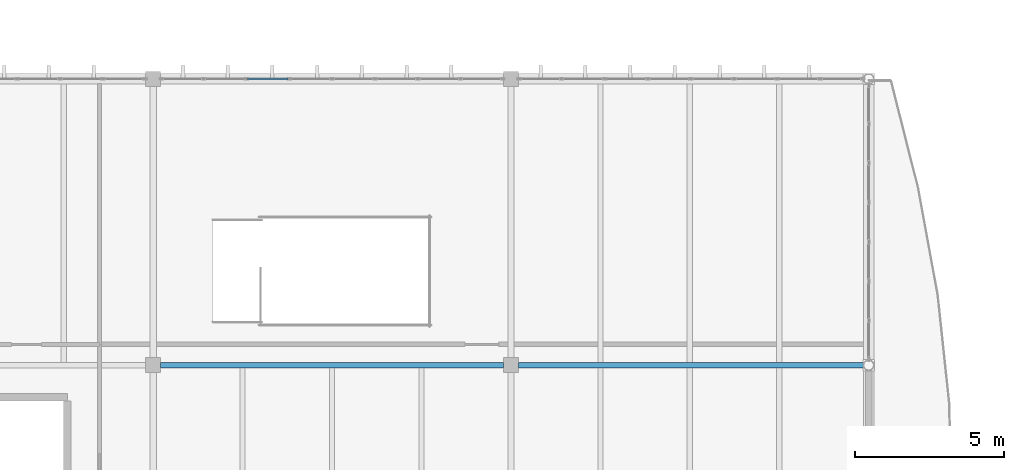
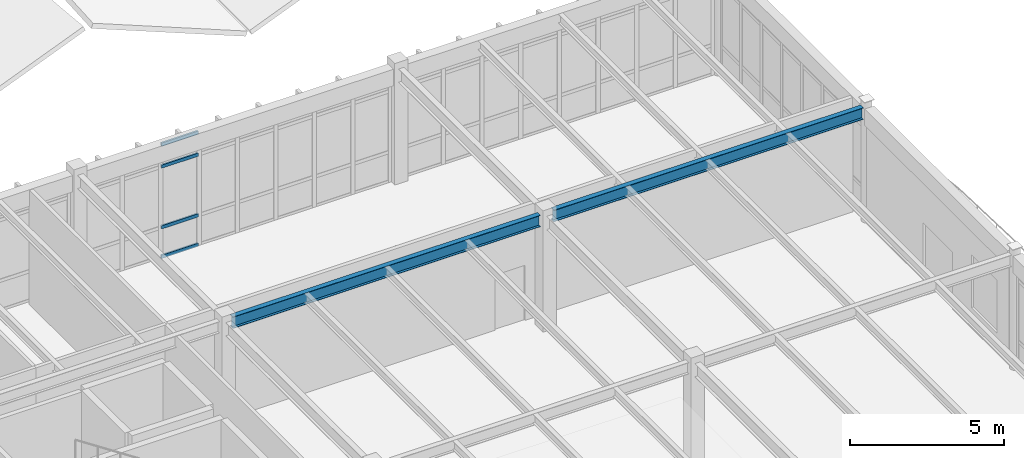
# One storey, part 20 of 236: 4 members, 2 beams, 1 element without a shape of its own.
"""IFC4 building model written with IfcOpenShell, lengths in metres."""

from ifc_helpers import new_model, si_unit, direction, frame, origin, origin_2d, place, context, subcontext, project, spatial, hollow_rectangle, i_section, extrude, material, layer, layer_set, material_profile, profile_set, type_object, element, aggregate, save


model = new_model("IFC4")

# Units and contexts
model_context = context("Model", 3, precision=1e-05, world=origin(), true_north=direction((0.0, 1.0)))
body_context = subcontext(model_context, "Body", "Model", "MODEL_VIEW")
ifc_project = project(units=[si_unit("LENGTHUNIT", "METRE"), si_unit("AREAUNIT", "SQUARE_METRE"), si_unit("VOLUMEUNIT", "CUBIC_METRE"), si_unit("PLANEANGLEUNIT", "RADIAN"), si_unit("MASSUNIT", "GRAM", prefix="KILO")], contexts=[model_context])

# Site, building, storey
site_placement = place(None, origin())
site = spatial("IfcSite", under=ifc_project, at=site_placement, CompositionType="ELEMENT")
building_placement = place(site_placement, origin())
building = spatial("IfcBuilding", under=site, at=building_placement, Name="Pandanus Reach Market Hall", CompositionType="ELEMENT")
storey_placement = place(building_placement, frame((0.0, 0.0, 5.39990234375)))
storey = spatial("IfcBuildingStorey", under=building, at=storey_placement, Name="L01", CompositionType="ELEMENT", Elevation=5.39990234375)

# Beams
ifc_material_1 = material(Name="Steel Grade 350 (350 MPa)", Category="steel")
ifc_material_profile_1 = material_profile(ifc_material_1, i_section(OverallWidth=0.18994140625, OverallDepth=0.45703125, WebThickness=0.009033203125, FlangeThickness=0.014404296875, at=origin_2d()), Name="460UB74.6", Category="LoadBearing")
ifc_profile_set_1 = profile_set([ifc_material_profile_1], Name="Steel Grade 350 (350 MPa)")
beam_type = type_object("IfcBeamType", Name="BM-UB460-I", PredefinedType="BEAM", material=ifc_profile_set_1)
beam_1_placement = place(storey_placement, frame((12.248046875, 19.199951171875, 4.30615234375), z_axis=(1.0, 0.0, 0.0), x_axis=(0.0, 1.0, 0.0)))
element("IfcBeam", 1, at=beam_1_placement, inside=storey, type_object=beam_type, Name="Framing beam BM-UB460-I L01.973", PredefinedType="BEAM", context=body_context, shape_type="SweptSolid", body=[
    extrude(i_section(OverallWidth=0.18994140625, OverallDepth=0.45703125, WebThickness=0.009033203125, FlangeThickness=0.014404296875, at=origin_2d()), origin(), (0.0, 0.0, 1.0), 11.50390625),
])
beam_2_placement = place(storey_placement, frame((24.248046875, 19.199951171875, 4.326171875), z_axis=(1.0, 0.0, 0.0), x_axis=(0.0, 1.0, 0.0)))
element("IfcBeam", 2, at=beam_2_placement, inside=storey, type_object=beam_type, Name="Framing beam BM-UB460-I L01.974", PredefinedType="BEAM", context=body_context, shape_type="SweptSolid", body=[
    extrude(i_section(OverallWidth=0.18994140625, OverallDepth=0.45703125, WebThickness=0.009033203125, FlangeThickness=0.014404296875, at=origin_2d()), origin(), (0.0, 0.0, 1.0), 11.576171875),
])

# Curtain wall, members
ifc_material_2 = material(Name="Bronze anodised aluminium and low-E glass", Category="aluminium")
ifc_layer = layer(ifc_material_2, 0.159912109375, Name="CW-17")
ifc_layer_set = layer_set([ifc_layer], Name="Bronze anodised aluminium and low-E glass")
curtain_wall_type = type_object("IfcCurtainWallType", Name="CW-17", PredefinedType="NOTDEFINED", material=ifc_layer_set)
curtain_wall_placement = place(storey_placement, origin())
curtain_wall = element("IfcCurtainWall", 3, at=curtain_wall_placement, inside=storey, type_object=curtain_wall_type, Name="Glazed curtain wall CW-17 CW-0058", PredefinedType="NOTDEFINED")
ifc_material_3 = material(Name="Bronze anodised aluminium", Category="aluminium")
ifc_material_profile_2 = material_profile(ifc_material_3, hollow_rectangle(XDim=0.06494140625, YDim=0.1298828125, WallThickness=0.00390625, at=origin_2d()), Name="ALU65x130", Category="LoadBearing")
ifc_profile_set_2 = profile_set([ifc_material_profile_2], Name="Bronze anodised aluminium")
member_type = type_object("IfcMemberType", Name="CW-T1", PredefinedType="USERDEFINED", material=ifc_profile_set_2)
member_1_placement = place(storey_placement, frame((15.157470703125, 28.800048828125, 0.03271484375), z_axis=(1.0, 0.0, 0.0), x_axis=(0.0, 1.0, 0.0)))
member_1 = element("IfcMember", 4, at=member_1_placement, type_object=member_type, Name="CW-17 transom 3.1", ObjectType="TRANSOM", PredefinedType="USERDEFINED", context=body_context, shape_type="SweptSolid", body=[
    extrude(hollow_rectangle(XDim=0.06494140625, YDim=0.1298828125, WallThickness=0.00390625, at=origin_2d()), origin(), (0.0, 0.0, 1.0), 1.37255859375),
])
member_2_placement = place(storey_placement, frame((15.157470703125, 28.800048828125, 1.2001953125), z_axis=(1.0, 0.0, 0.0), x_axis=(0.0, 1.0, 0.0)))
member_2 = element("IfcMember", 5, at=member_2_placement, type_object=member_type, Name="CW-17 transom 3.2", ObjectType="TRANSOM", PredefinedType="USERDEFINED", context=body_context, shape_type="SweptSolid", body=[
    extrude(hollow_rectangle(XDim=0.06494140625, YDim=0.1298828125, WallThickness=0.00390625, at=origin_2d()), origin(), (0.0, 0.0, 1.0), 1.37255859375),
])
member_3_placement = place(storey_placement, frame((15.157470703125, 28.800048828125, 3.60009765625), z_axis=(1.0, 0.0, 0.0), x_axis=(0.0, 1.0, 0.0)))
member_3 = element("IfcMember", 6, at=member_3_placement, type_object=member_type, Name="CW-17 transom 3.3", ObjectType="TRANSOM", PredefinedType="USERDEFINED", context=body_context, shape_type="SweptSolid", body=[
    extrude(hollow_rectangle(XDim=0.06494140625, YDim=0.1298828125, WallThickness=0.00390625, at=origin_2d()), origin(), (0.0, 0.0, 1.0), 1.37255859375),
])
member_4_placement = place(storey_placement, frame((15.157470703125, 28.800048828125, 4.467529296875), z_axis=(1.0, 0.0, 0.0), x_axis=(0.0, 1.0, 0.0)))
member_4 = element("IfcMember", 7, at=member_4_placement, type_object=member_type, Name="CW-17 transom 3.4", ObjectType="TRANSOM", PredefinedType="USERDEFINED", context=body_context, shape_type="SweptSolid", body=[
    extrude(hollow_rectangle(XDim=0.06494140625, YDim=0.1298828125, WallThickness=0.00390625, at=origin_2d()), origin(), (0.0, 0.0, 1.0), 1.37255859375),
])
aggregate(curtain_wall, [member_1, member_2, member_3, member_4])

save(model, "model.ifc")
